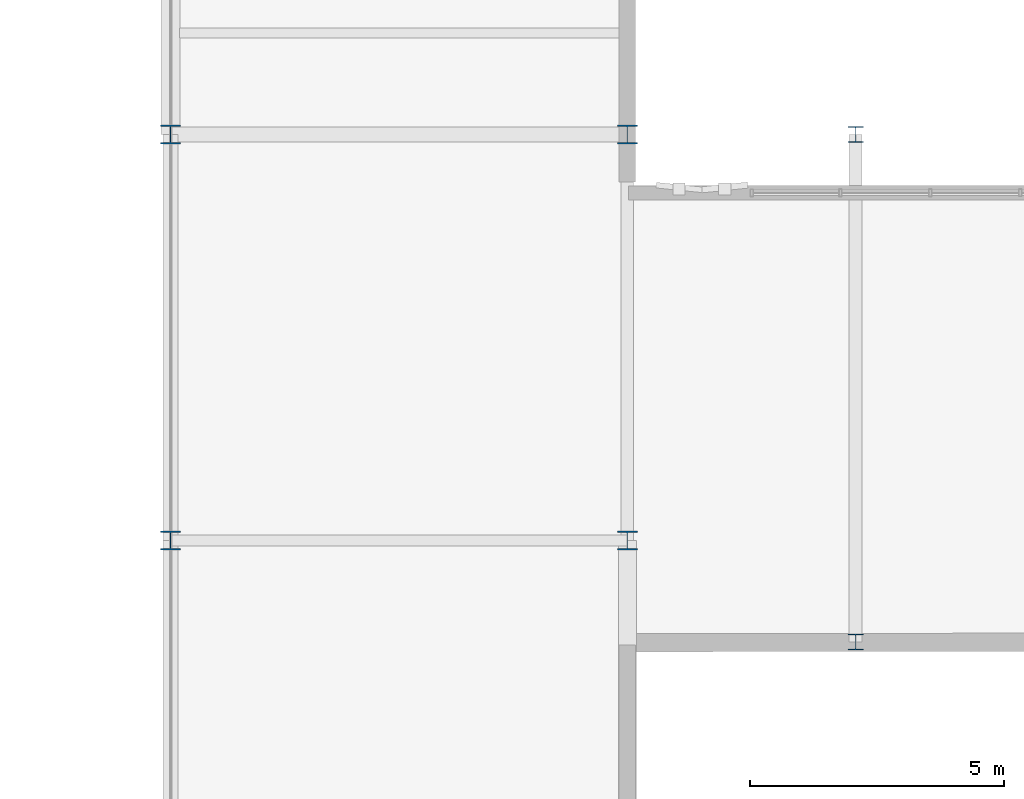
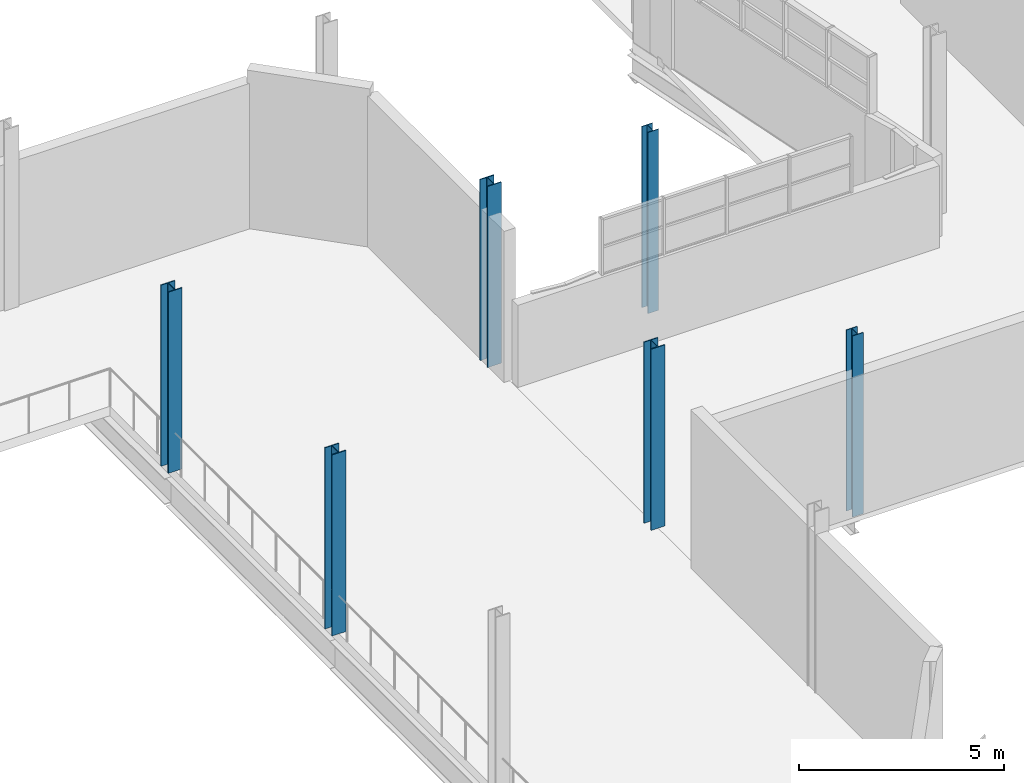
# One storey, part 2 of 142: 6 columns.
"""IFC4 building model written with IfcOpenShell, lengths in metres."""

from ifc_helpers import new_model, si_unit, direction, frame, origin, origin_2d, place, context, subcontext, project, spatial, i_section, extrude, material, material_profile, profile_set, type_object, element, save


model = new_model("IFC4")

# Units and contexts
model_context = context("Model", 3, precision=1e-05, world=origin(), true_north=direction((0.0, 1.0)))
body_context = subcontext(model_context, "Body", "Model", "MODEL_VIEW")
ifc_project = project(units=[si_unit("LENGTHUNIT", "METRE"), si_unit("AREAUNIT", "SQUARE_METRE"), si_unit("VOLUMEUNIT", "CUBIC_METRE"), si_unit("PLANEANGLEUNIT", "RADIAN"), si_unit("MASSUNIT", "GRAM", prefix="KILO"), si_unit("THERMODYNAMICTEMPERATUREUNIT", "KELVIN"), si_unit("POWERUNIT", "WATT")], contexts=[model_context])

# Site, building, storey
site_placement = place(None, origin())
site = spatial("IfcSite", under=ifc_project, at=site_placement, CompositionType="ELEMENT")
building_placement = place(site_placement, origin())
building = spatial("IfcBuilding", under=site, at=building_placement, Name="Zelmaris Science Centre", CompositionType="ELEMENT")
storey_placement = place(building_placement, frame((0.0, 0.0, 5.39990234375)))
storey = spatial("IfcBuildingStorey", under=building, at=storey_placement, Name="L01", CompositionType="ELEMENT", Elevation=5.39990234375)

# Columns
ifc_material = material(Name="Steel ASTM A992 Grade 50", Category="steel")
ifc_material_profile_1 = material_profile(ifc_material, i_section(OverallWidth=0.39404296875, OverallDepth=0.3759765625, WebThickness=0.017333984375, FlangeThickness=0.027587890625, FilletRadius=0.014892578125, at=origin_2d()), Name="W14X145")
ifc_profile_set_1 = profile_set([ifc_material_profile_1], Name="Steel ASTM A992 Grade 50")
column_type_1 = type_object("IfcColumnType", Name="Column C-05 W14X145", PredefinedType="COLUMN", material=ifc_profile_set_1)
for number, where, z_axis, x_axis, name in (
    (1, (45.0, 24.0, 0.0), (0.0, 0.0, 1.0), (1.0, 0.0, 0.0), "Column V3-F-45-24 L01"),
    (2, (45.0, 32.0, 0.0), (0.0, 0.0, 1.0), (1.0, 0.0, 0.0), "Column V3-F-45-32 L01"),
    (3, (54.0, 24.0, 0.0), (0.0, 0.0, 1.0), (1.0, 0.0, 0.0), "Column V3-F-54-24 L01"),
    (4, (54.0, 32.0, 0.0), (0.0, 0.0, 1.0), (1.0, 0.0, 0.0), "Column V3-F-54-32 L01"),
):
    element("IfcColumn", number, at=place(storey_placement, frame(where, z_axis=z_axis, x_axis=x_axis)), inside=storey, type_object=column_type_1, Name=name, PredefinedType="COLUMN", context=body_context, shape_type="SweptSolid", body=[
        extrude(i_section(OverallWidth=0.39404296875, OverallDepth=0.3759765625, WebThickness=0.017333984375, FlangeThickness=0.027587890625, FilletRadius=0.014892578125, at=origin_2d()), origin(), (0.0, 0.0, 1.0), 5.400146484375),
    ])
ifc_material_profile_2 = material_profile(ifc_material, i_section(OverallWidth=0.306884765625, OverallDepth=0.31494140625, WebThickness=0.011962890625, FlangeThickness=0.018798828125, FilletRadius=0.012939453125, at=origin_2d()), Name="W12X79")
ifc_profile_set_2 = profile_set([ifc_material_profile_2], Name="Steel ASTM A992 Grade 50")
column_type_2 = type_object("IfcColumnType", Name="Column C-08 W12X79", PredefinedType="COLUMN", material=ifc_profile_set_2)
for number, where, z_axis, x_axis, name in (
    (5, (58.5, 22.0, 0.0), (0.0, 0.0, 1.0), (1.0, 0.0, 0.0), "Column LK-W-22 L01"),
    (6, (58.5, 32.0, 0.0), (0.0, 0.0, 1.0), (1.0, 0.0, 0.0), "Column LK-W-32 L01"),
):
    element("IfcColumn", number, at=place(storey_placement, frame(where, z_axis=z_axis, x_axis=x_axis)), inside=storey, type_object=column_type_2, Name=name, PredefinedType="COLUMN", context=body_context, shape_type="SweptSolid", body=[
        extrude(i_section(OverallWidth=0.306884765625, OverallDepth=0.31494140625, WebThickness=0.011962890625, FlangeThickness=0.018798828125, FilletRadius=0.012939453125, at=origin_2d()), origin(), (0.0, 0.0, 1.0), 5.400146484375),
    ])

save(model, "model.ifc")
